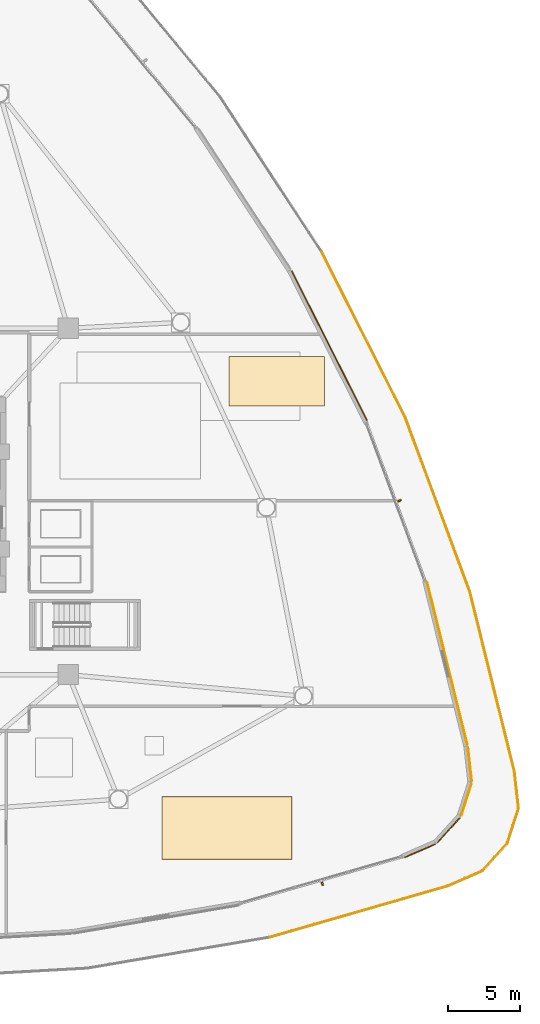
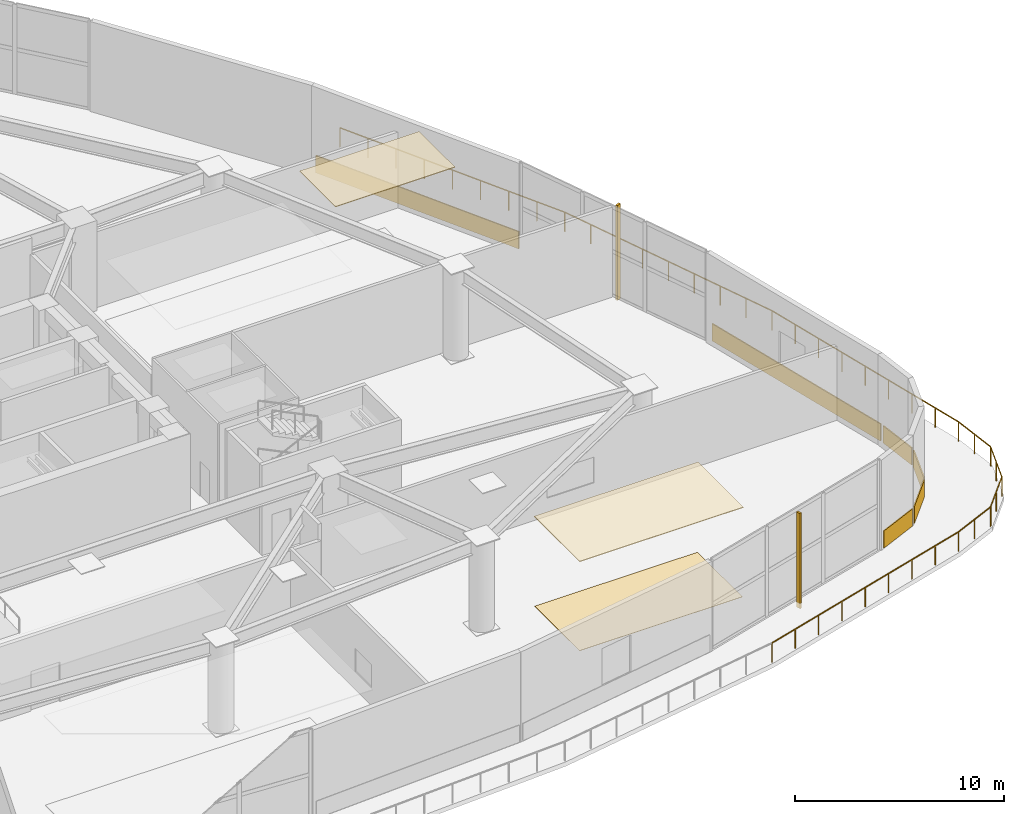
# One storey, part 24 of 26: 9 coverings, 8 railings, 2 shading devices.
"""IFC4 building model written with IfcOpenShell, lengths in metres."""

from ifc_helpers import new_model, si_unit, direction, frame, origin, origin_2d, place, context, subcontext, project, spatial, polyline, rectangle, outline, extrude, source, transform, mapped, material, layer, layer_set, type_object, type_shapes, element, save


model = new_model("IFC4")

# Units and contexts
model_context = context("Model", 3, precision=1e-05, world=origin(), true_north=direction((0.0, 1.0)))
body_context = subcontext(model_context, "Body", "Model", "MODEL_VIEW")
ifc_project = project(units=[si_unit("LENGTHUNIT", "METRE"), si_unit("AREAUNIT", "SQUARE_METRE"), si_unit("VOLUMEUNIT", "CUBIC_METRE"), si_unit("PLANEANGLEUNIT", "RADIAN"), si_unit("MASSUNIT", "GRAM", prefix="KILO")], contexts=[model_context])

# Site, building, storey
site_placement = place(None, origin())
site = spatial("IfcSite", under=ifc_project, at=site_placement, CompositionType="ELEMENT")
building_placement = place(site_placement, origin())
building = spatial("IfcBuilding", under=site, at=building_placement, Name="Tavelor Broadcast Tower", CompositionType="ELEMENT")
storey_placement = place(building_placement, frame((0.0, 0.0, 5.800048828125)))
storey = spatial("IfcBuildingStorey", under=building, at=storey_placement, Name="L01", CompositionType="ELEMENT", Elevation=5.800048828125)

# Covering
ifc_material_1 = material(Name="Acoustic Nylon Carpet Tile")
ifc_layer_1 = layer(ifc_material_1, 0.02001953125)
ifc_layer_set_1 = layer_set([ifc_layer_1], Name="Acoustic Nylon Carpet Tile")
covering_type_1 = type_object("IfcCoveringType", Name="Heavy-Duty Acoustic Broadcast Carpet Tile 20 mm", PredefinedType="FLOORING", material=ifc_layer_set_1)
covering_1_placement = place(storey_placement, origin())
element("IfcCovering", 1, at=covering_1_placement, inside=storey, type_object=covering_type_1, Name="L01 Broadcast Floor Finish 0017", PredefinedType="FLOORING", context=body_context, shape_type="SweptSolid", body=[
    extrude(outline(polyline([(67.998046875, 19.71533203125), (76.9775390625, 19.71533203125), (76.9775390625, 24.00341796875), (67.998046875, 24.00341796875), (67.998046875, 19.71533203125)])), origin(), (0.0, 0.0, 1.0), 0.02001953125),
])

# Railings
ifc_material_2 = material(Name="Steel S355", Category="steel")
railing_type = type_object("IfcRailingType", Name="Planted Terrace Laminated Glass Balustrade 1150 mm", PredefinedType="BALUSTRADE", material=ifc_material_2)
railing_1_placement = place(storey_placement, frame((75.47900390625, 14.30810546875, 0.0)))
element("IfcRailing", 2, at=railing_1_placement, inside=storey, type_object=railing_type, Name="L01 Cascading Garden Terrace 1 Balustrade #23", PredefinedType="BALUSTRADE", context=body_context, shape_type="SweptSolid", body=[
    extrude(rectangle(XDim=0.048095703125, YDim=0.048095703125, at=origin_2d()), frame((0.0, 0.0, 1.1259765625), z_axis=(0.960879887, 0.276965417985, 0.0), x_axis=(-0.276965417985, 0.960879887, 0.0)), (0.0, 0.0, 1.0), 12.854736328125),
    extrude(rectangle(XDim=0.0419921875, YDim=0.0419921875, at=origin_2d()), origin(), (0.0, 0.0, 1.0), 1.101806640625),
    extrude(rectangle(XDim=0.0419921875, YDim=0.0419921875, at=origin_2d()), frame((1.5439453125, 0.445068359375, 0.0)), (0.0, 0.0, 1.0), 1.101806640625),
    extrude(rectangle(XDim=0.0419921875, YDim=0.0419921875, at=origin_2d()), frame((3.087890625, 0.89013671875, 0.0)), (0.0, 0.0, 1.0), 1.101806640625),
    extrude(rectangle(XDim=0.0419921875, YDim=0.0419921875, at=origin_2d()), frame((4.6318359375, 1.335205078125, 0.0)), (0.0, 0.0, 1.0), 1.101806640625),
    extrude(rectangle(XDim=0.0419921875, YDim=0.0419921875, at=origin_2d()), frame((6.17578125, 1.7802734375, 0.0)), (0.0, 0.0, 1.0), 1.101806640625),
    extrude(rectangle(XDim=0.0419921875, YDim=0.0419921875, at=origin_2d()), frame((7.719970703125, 2.22509765625, 0.0)), (0.0, 0.0, 1.0), 1.101806640625),
    extrude(rectangle(XDim=0.0419921875, YDim=0.0419921875, at=origin_2d()), frame((9.263916015625, 2.670166015625, 0.0)), (0.0, 0.0, 1.0), 1.101806640625),
    extrude(rectangle(XDim=0.0419921875, YDim=0.0419921875, at=origin_2d()), frame((10.807861328125, 3.115234375, 0.0)), (0.0, 0.0, 1.0), 1.101806640625),
    extrude(rectangle(XDim=0.0419921875, YDim=0.0419921875, at=origin_2d()), frame((12.351806640625, 3.560302734375, 0.0)), (0.0, 0.0, 1.0), 1.101806640625),
])
railing_2_placement = place(storey_placement, frame((87.818359375, 17.864013671875, 0.0)))
element("IfcRailing", 3, at=railing_2_placement, inside=storey, type_object=railing_type, Name="L01 Cascading Garden Terrace 1 Balustrade #24", PredefinedType="BALUSTRADE", context=body_context, shape_type="SweptSolid", body=[
    extrude(rectangle(XDim=0.048095703125, YDim=0.048095703125, at=origin_2d()), frame((0.0, 0.0, 1.1259765625), z_axis=(0.916708265482, 0.399557199906, 0.0), x_axis=(-0.399557199906, 0.916708265482, 0.0)), (0.0, 0.0, 1.0), 2.609619140625),
    extrude(rectangle(XDim=0.0419921875, YDim=0.0419921875, at=origin_2d()), origin(), (0.0, 0.0, 1.0), 1.101806640625),
    extrude(rectangle(XDim=0.0419921875, YDim=0.0419921875, at=origin_2d()), frame((1.1962890625, 0.521484375, 0.0)), (0.0, 0.0, 1.0), 1.101806640625),
    extrude(rectangle(XDim=0.0419921875, YDim=0.0419921875, at=origin_2d()), frame((2.392333984375, 1.042724609375, 0.0)), (0.0, 0.0, 1.0), 1.101806640625),
])
railing_3_placement = place(storey_placement, frame((90.1767578125, 18.882080078125, 0.0)))
element("IfcRailing", 4, at=railing_3_placement, inside=storey, type_object=railing_type, Name="L01 Cascading Garden Terrace 1 Balustrade #25", PredefinedType="BALUSTRADE", context=body_context, shape_type="SweptSolid", body=[
    extrude(rectangle(XDim=0.048095703125, YDim=0.048095703125, at=origin_2d()), frame((0.0, 0.0, 1.1259765625), z_axis=(0.67100884778, 0.741449341629, 0.0), x_axis=(-0.741449341629, 0.67100884778, 0.0)), (0.0, 0.0, 1.0), 2.60986328125),
    extrude(rectangle(XDim=0.0419921875, YDim=0.0419921875, at=origin_2d()), origin(), (0.0, 0.0, 1.0), 1.101806640625),
    extrude(rectangle(XDim=0.0419921875, YDim=0.0419921875, at=origin_2d()), frame((0.87548828125, 0.967529296875, 0.0)), (0.0, 0.0, 1.0), 1.101806640625),
    extrude(rectangle(XDim=0.0419921875, YDim=0.0419921875, at=origin_2d()), frame((1.751220703125, 1.93505859375, 0.0)), (0.0, 0.0, 1.0), 1.101806640625),
])
railing_4_placement = place(storey_placement, frame((91.906982421875, 20.78076171875, 0.0)))
element("IfcRailing", 5, at=railing_4_placement, inside=storey, type_object=railing_type, Name="L01 Cascading Garden Terrace 1 Balustrade #26", PredefinedType="BALUSTRADE", context=body_context, shape_type="SweptSolid", body=[
    extrude(rectangle(XDim=0.048095703125, YDim=0.048095703125, at=origin_2d()), frame((0.0, 0.0, 1.1259765625), z_axis=(0.306557224413, 0.951852230212, 0.0), x_axis=(-0.951852230212, 0.306557224413, 0.0)), (0.0, 0.0, 1.0), 2.60986328125),
    extrude(rectangle(XDim=0.0419921875, YDim=0.0419921875, at=origin_2d()), origin(), (0.0, 0.0, 1.0), 1.101806640625),
    extrude(rectangle(XDim=0.0419921875, YDim=0.0419921875, at=origin_2d()), frame((0.39990234375, 1.2421875, 0.0)), (0.0, 0.0, 1.0), 1.101806640625),
    extrude(rectangle(XDim=0.0419921875, YDim=0.0419921875, at=origin_2d()), frame((0.800048828125, 2.484130859375, 0.0)), (0.0, 0.0, 1.0), 1.101806640625),
])
railing_5_placement = place(storey_placement, frame((92.702880859375, 23.222900390625, 0.0)))
element("IfcRailing", 6, at=railing_5_placement, inside=storey, type_object=railing_type, Name="L01 Cascading Garden Terrace 1 Balustrade #27", PredefinedType="BALUSTRADE", context=body_context, shape_type="SweptSolid", body=[
    extrude(rectangle(XDim=0.048095703125, YDim=0.048095703125, at=origin_2d()), frame((0.0, 0.0, 1.1259765625), z_axis=(-0.112340896181, 0.993669725334, 0.0), x_axis=(-0.993669725334, -0.112340896181, 0.0)), (0.0, 0.0, 1.0), 2.610107421875),
    extrude(rectangle(XDim=0.0419921875, YDim=0.0419921875, at=origin_2d()), origin(), (0.0, 0.0, 1.0), 1.101806640625),
    extrude(rectangle(XDim=0.0419921875, YDim=0.0419921875, at=origin_2d()), frame((-0.146484375, 1.296875, 0.0)), (0.0, 0.0, 1.0), 1.101806640625),
    extrude(rectangle(XDim=0.0419921875, YDim=0.0419921875, at=origin_2d()), frame((-0.293212890625, 2.593505859375, 0.0)), (0.0, 0.0, 1.0), 1.101806640625),
])
railing_6_placement = place(storey_placement, frame((92.411865234375, 25.803466796875, 0.0)))
element("IfcRailing", 7, at=railing_6_placement, inside=storey, type_object=railing_type, Name="L01 Cascading Garden Terrace 1 Balustrade #28", PredefinedType="BALUSTRADE", context=body_context, shape_type="SweptSolid", body=[
    extrude(rectangle(XDim=0.048095703125, YDim=0.048095703125, at=origin_2d()), frame((0.0, 0.0, 1.1259765625), z_axis=(-0.240559895028, 0.970634296171, 0.0), x_axis=(-0.970634296171, -0.240559895028, 0.0)), (0.0, 0.0, 1.0), 12.8544921875),
    extrude(rectangle(XDim=0.0419921875, YDim=0.0419921875, at=origin_2d()), origin(), (0.0, 0.0, 1.0), 1.101806640625),
    extrude(rectangle(XDim=0.0419921875, YDim=0.0419921875, at=origin_2d()), frame((-0.386474609375, 1.5595703125, 0.0)), (0.0, 0.0, 1.0), 1.101806640625),
    extrude(rectangle(XDim=0.0419921875, YDim=0.0419921875, at=origin_2d()), frame((-0.77294921875, 3.119140625, 0.0)), (0.0, 0.0, 1.0), 1.101806640625),
    extrude(rectangle(XDim=0.0419921875, YDim=0.0419921875, at=origin_2d()), frame((-1.15966796875, 4.678955078125, 0.0)), (0.0, 0.0, 1.0), 1.101806640625),
    extrude(rectangle(XDim=0.0419921875, YDim=0.0419921875, at=origin_2d()), frame((-1.546142578125, 6.238525390625, 0.0)), (0.0, 0.0, 1.0), 1.101806640625),
    extrude(rectangle(XDim=0.0419921875, YDim=0.0419921875, at=origin_2d()), frame((-1.9326171875, 7.798095703125, 0.0)), (0.0, 0.0, 1.0), 1.101806640625),
    extrude(rectangle(XDim=0.0419921875, YDim=0.0419921875, at=origin_2d()), frame((-2.3193359375, 9.35791015625, 0.0)), (0.0, 0.0, 1.0), 1.101806640625),
    extrude(rectangle(XDim=0.0419921875, YDim=0.0419921875, at=origin_2d()), frame((-2.705810546875, 10.91748046875, 0.0)), (0.0, 0.0, 1.0), 1.101806640625),
    extrude(rectangle(XDim=0.0419921875, YDim=0.0419921875, at=origin_2d()), frame((-3.09228515625, 12.47705078125, 0.0)), (0.0, 0.0, 1.0), 1.101806640625),
])
railing_7_placement = place(storey_placement, frame((89.322998046875, 38.269775390625, 0.0)))
element("IfcRailing", 8, at=railing_7_placement, inside=storey, type_object=railing_type, Name="L01 Cascading Garden Terrace 1 Balustrade #29", PredefinedType="BALUSTRADE", context=body_context, shape_type="SweptSolid", body=[
    extrude(rectangle(XDim=0.048095703125, YDim=0.048095703125, at=origin_2d()), frame((0.0, 0.0, 1.1259765625), z_axis=(-0.347793089854, 0.937571312834, 0.0), x_axis=(-0.937571312834, -0.347793089854, 0.0)), (0.0, 0.0, 1.0), 12.8544921875),
    extrude(rectangle(XDim=0.0419921875, YDim=0.0419921875, at=origin_2d()), origin(), (0.0, 0.0, 1.0), 1.101806640625),
    extrude(rectangle(XDim=0.0419921875, YDim=0.0419921875, at=origin_2d()), frame((-0.558837890625, 1.506591796875, 0.0)), (0.0, 0.0, 1.0), 1.101806640625),
    extrude(rectangle(XDim=0.0419921875, YDim=0.0419921875, at=origin_2d()), frame((-1.11767578125, 3.012939453125, 0.0)), (0.0, 0.0, 1.0), 1.101806640625),
    extrude(rectangle(XDim=0.0419921875, YDim=0.0419921875, at=origin_2d()), frame((-1.676513671875, 4.51953125, 0.0)), (0.0, 0.0, 1.0), 1.101806640625),
    extrude(rectangle(XDim=0.0419921875, YDim=0.0419921875, at=origin_2d()), frame((-2.2353515625, 6.02587890625, 0.0)), (0.0, 0.0, 1.0), 1.101806640625),
    extrude(rectangle(XDim=0.0419921875, YDim=0.0419921875, at=origin_2d()), frame((-2.794189453125, 7.532470703125, 0.0)), (0.0, 0.0, 1.0), 1.101806640625),
    extrude(rectangle(XDim=0.0419921875, YDim=0.0419921875, at=origin_2d()), frame((-3.35302734375, 9.0390625, 0.0)), (0.0, 0.0, 1.0), 1.101806640625),
    extrude(rectangle(XDim=0.0419921875, YDim=0.0419921875, at=origin_2d()), frame((-3.911865234375, 10.54541015625, 0.0)), (0.0, 0.0, 1.0), 1.101806640625),
    extrude(rectangle(XDim=0.0419921875, YDim=0.0419921875, at=origin_2d()), frame((-4.470703125, 12.052001953125, 0.0)), (0.0, 0.0, 1.0), 1.101806640625),
])
railing_8_placement = place(storey_placement, frame((84.856689453125, 50.311279296875, 0.0)))
element("IfcRailing", 9, at=railing_8_placement, inside=storey, type_object=railing_type, Name="L01 Cascading Garden Terrace 1 Balustrade #30", PredefinedType="BALUSTRADE", context=body_context, shape_type="SweptSolid", body=[
    extrude(rectangle(XDim=0.048095703125, YDim=0.048095703125, at=origin_2d()), frame((0.0, 0.0, 1.1259765625), z_axis=(-0.45062143699, 0.89271513963, 0.0), x_axis=(-0.89271513963, -0.45062143699, 0.0)), (0.0, 0.0, 1.0), 12.8544921875),
    extrude(rectangle(XDim=0.0419921875, YDim=0.0419921875, at=origin_2d()), origin(), (0.0, 0.0, 1.0), 1.101806640625),
    extrude(rectangle(XDim=0.0419921875, YDim=0.0419921875, at=origin_2d()), frame((-0.72412109375, 1.434326171875, 0.0)), (0.0, 0.0, 1.0), 1.101806640625),
    extrude(rectangle(XDim=0.0419921875, YDim=0.0419921875, at=origin_2d()), frame((-1.4482421875, 2.868896484375, 0.0)), (0.0, 0.0, 1.0), 1.101806640625),
    extrude(rectangle(XDim=0.0419921875, YDim=0.0419921875, at=origin_2d()), frame((-2.172119140625, 4.30322265625, 0.0)), (0.0, 0.0, 1.0), 1.101806640625),
    extrude(rectangle(XDim=0.0419921875, YDim=0.0419921875, at=origin_2d()), frame((-2.896240234375, 5.73779296875, 0.0)), (0.0, 0.0, 1.0), 1.101806640625),
    extrude(rectangle(XDim=0.0419921875, YDim=0.0419921875, at=origin_2d()), frame((-3.620361328125, 7.172119140625, 0.0)), (0.0, 0.0, 1.0), 1.101806640625),
    extrude(rectangle(XDim=0.0419921875, YDim=0.0419921875, at=origin_2d()), frame((-4.34423828125, 8.6064453125, 0.0)), (0.0, 0.0, 1.0), 1.101806640625),
    extrude(rectangle(XDim=0.0419921875, YDim=0.0419921875, at=origin_2d()), frame((-5.068359375, 10.041015625, 0.0)), (0.0, 0.0, 1.0), 1.101806640625),
    extrude(rectangle(XDim=0.0419921875, YDim=0.0419921875, at=origin_2d()), frame((-5.79248046875, 11.475341796875, 0.0)), (0.0, 0.0, 1.0), 1.101806640625),
])

# Coverings
ifc_material_3 = material(Name="Kiln-Fired Glazed Terracotta", Category="masonry")
ifc_layer_2 = layer(ifc_material_3, 0.06494140625)
ifc_layer_set_2 = layer_set([ifc_layer_2], Name="Kiln-Fired Glazed Terracotta")
covering_type_2 = type_object("IfcCoveringType", Name="Ribbed Terracotta Rainscreen Spandrel Cladding 65 mm", PredefinedType="CLADDING", material=ifc_layer_set_2)
for number, where, z_axis, x_axis, name in (
    (10, (85.882568359375, 20.292724609375, 0.050048828125), (0.0, 0.0, 1.0), (0.916711751032, 0.399549202878, 0.0), "L01 Terracotta Spandrel Rainscreen 21"),
    (11, (87.870849609375, 21.7216796875, 0.050048828125), (0.0, 0.0, 1.0), (0.671073859667, 0.741390500932, 0.0), "L01 Terracotta Spandrel Rainscreen 22"),
    (12, (89.09521484375, 23.842041015625, 0.050048828125), (0.0, 0.0, 1.0), (0.306526078098, 0.951862260753, 0.0), "L01 Terracotta Spandrel Rainscreen 23"),
    (13, (89.33837890625, 26.2783203125, 0.050048828125), (0.0, 0.0, 1.0), (-0.112336115762, 0.99367026578, 0.0), "L01 Terracotta Spandrel Rainscreen 24"),
):
    element("IfcCovering", number, at=place(storey_placement, frame(where, z_axis=z_axis, x_axis=x_axis)), inside=storey, type_object=covering_type_2, Name=name, PredefinedType="CLADDING", context=body_context, shape_type="SweptSolid", body=[
        extrude(rectangle(XDim=2.3046875, YDim=0.06494140625, at=origin_2d()), origin(), (0.0, 0.0, 1.0), 1.0),
    ])
for number, where, z_axis, x_axis, name in (
    (14, (87.779052734375, 33.24658203125, 0.050048828125), (0.0, 0.0, 1.0), (-0.240566871809, 0.970632567035, 0.0), "L01 Terracotta Spandrel Rainscreen 25"),
    (15, (79.6015625, 55.2919921875, 0.050048828125), (0.0, 0.0, 1.0), (-0.450565941999, 0.892743150022, 0.0), "L01 Terracotta Spandrel Rainscreen 27"),
):
    element("IfcCovering", number, at=place(storey_placement, frame(where, z_axis=z_axis, x_axis=x_axis)), inside=storey, type_object=covering_type_2, Name=name, PredefinedType="CLADDING", context=body_context, shape_type="SweptSolid", body=[
        extrude(rectangle(XDim=11.59375, YDim=0.06494140625, at=origin_2d()), origin(), (0.0, 0.0, 1.0), 1.0),
    ])
ifc_material_4 = material(Name="Acoustic Mineral Fibre Tile")
ifc_layer_3 = layer(ifc_material_4, 0.0400390625)
ifc_layer_set_3 = layer_set([ifc_layer_3], Name="Acoustic Mineral Fibre Tile")
covering_type_3 = type_object("IfcCoveringType", Name="Suspended Acoustic Mineral-Fibre Office Ceiling 40 mm", PredefinedType="CEILING", material=ifc_layer_set_3)
covering_2_placement = place(storey_placement, frame((0.0, 0.0, 5.2099609375)))
element("IfcCovering", 16, at=covering_2_placement, inside=storey, type_object=covering_type_3, Name="L01 Suspended Acoustic Ceiling 0043", PredefinedType="CEILING", context=body_context, shape_type="SweptSolid", body=[
    extrude(outline(polyline([(67.98583984375, 19.69482421875), (77.023681640625, 19.69482421875), (77.023681640625, 24.03759765625), (67.98583984375, 24.03759765625), (67.98583984375, 19.69482421875)])), origin(), (0.0, 0.0, 1.0), 0.0400390625),
])
covering_3_placement = place(storey_placement, frame((0.0, 0.0, 5.2099609375)))
element("IfcCovering", 17, at=covering_3_placement, inside=storey, type_object=covering_type_3, Name="L01 Suspended Acoustic Ceiling 0052", PredefinedType="CEILING", context=body_context, shape_type="SweptSolid", body=[
    extrude(outline(polyline([(72.661376953125, 51.109375), (79.251220703125, 51.109375), (79.251220703125, 54.532958984375), (72.661376953125, 54.532958984375), (72.661376953125, 51.109375)])), origin(), (0.0, 0.0, 1.0), 0.0400390625),
])

# Shading devices
shading_device_type = type_object("IfcShadingDeviceType", Name="Extruded Terracotta Baguette Sun-Screen 110x240", PredefinedType="JALOUSIE", material=ifc_material_3)
shared_shape = source(origin(), body_context, "Body", "SweptSolid", [
    extrude(rectangle(XDim=0.110107421875, YDim=0.239990234375, at=origin_2d()), origin(), (0.0, 0.0, 1.0), 5.5400390625),
])
type_shapes(shading_device_type, [shared_shape])
for number, where, z_axis, x_axis, name in (
    (18, (79.11279296875, 18.00537109375, -0.31005859375), (0.0, 0.0, 1.0), (0.960875896697, 0.276979261222, 0.0), "L01 Terracotta Baguette Fin 4"),
    (19, (84.459716796875, 44.5546875, -0.31005859375), (0.0, 0.0, 1.0), (-0.347753981862, 0.937585819058, 0.0), "L01 Terracotta Baguette Fin 5"),
):
    element("IfcShadingDevice", number, at=place(storey_placement, frame(where, z_axis=z_axis, x_axis=x_axis)), inside=storey, type_object=shading_device_type, Name=name, PredefinedType="JALOUSIE", context=body_context, shape_type="MappedRepresentation", body=[
        mapped(shared_shape, transform((0.0, 0.0, 0.0), scale=1.0)),
    ])

save(model, "model.ifc")
